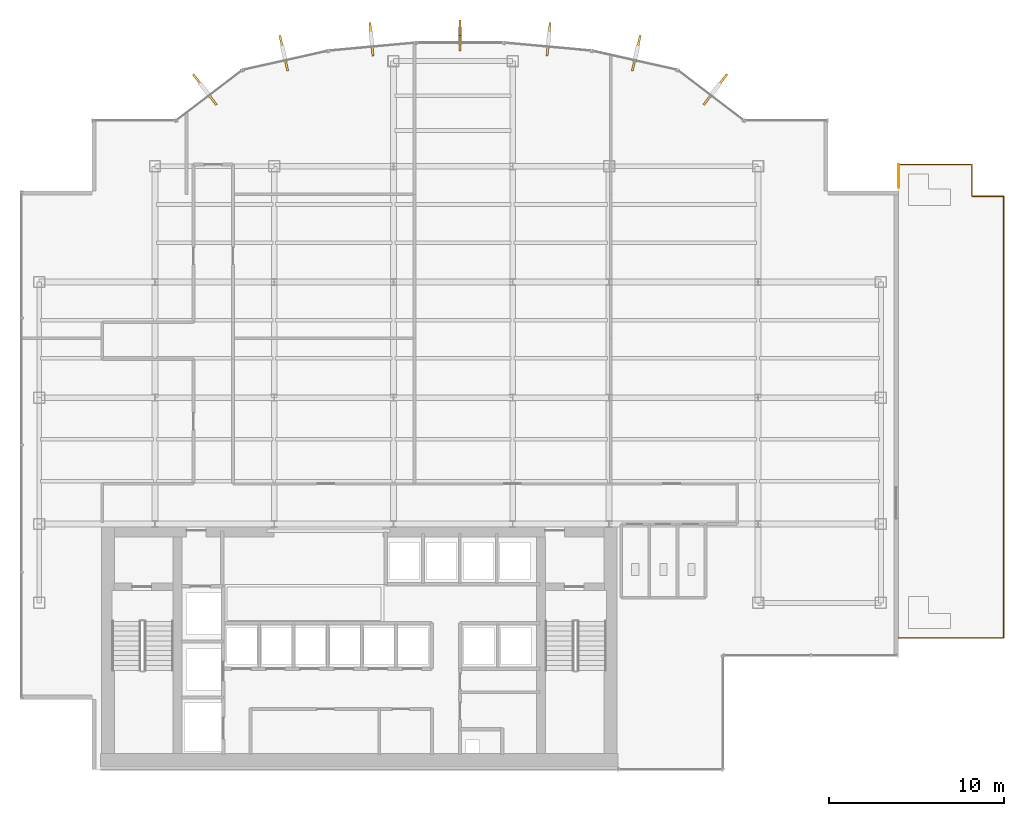
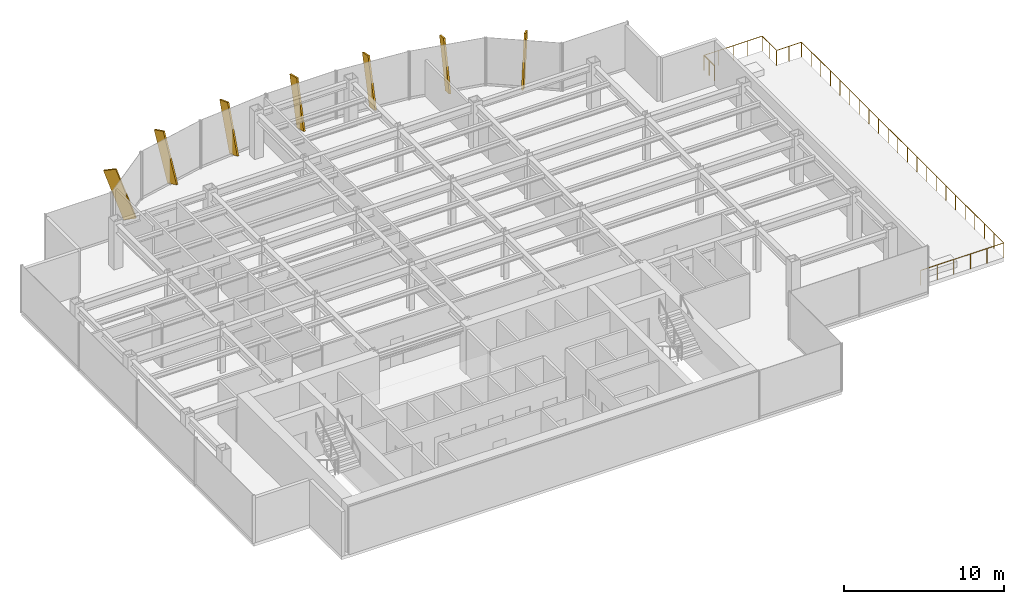
# One storey, part 22 of 23: 7 shading devices, 2 railings.
"""IFC4 building model written with IfcOpenShell, lengths in metres."""

from ifc_helpers import new_model, si_unit, derived_unit, direction, frame, origin, origin_2d, place, context, subcontext, project, spatial, rectangle, circle, extrude, source, transform, mapped, material, type_object, element, save


model = new_model("IFC4")

# Units and contexts
model_context = context("Model", 3, precision=1e-05, world=origin(), true_north=direction((0.0, 1.0)))
body_context = subcontext(model_context, "Body", "Model", "MODEL_VIEW")
ifc_project = project(units=[si_unit("LENGTHUNIT", "METRE"), si_unit("AREAUNIT", "SQUARE_METRE"), si_unit("VOLUMEUNIT", "CUBIC_METRE"), si_unit("PLANEANGLEUNIT", "RADIAN"), si_unit("MASSUNIT", "GRAM", prefix="KILO"), derived_unit("THERMALTRANSMITTANCEUNIT", [(si_unit("POWERUNIT", "WATT"), 1), (si_unit("LENGTHUNIT", "METRE"), -2), (si_unit("THERMODYNAMICTEMPERATUREUNIT", "KELVIN"), -1)])], contexts=[model_context])

# Site, building, storey
site_placement = place(None, origin())
site = spatial("IfcSite", under=ifc_project, at=site_placement, CompositionType="ELEMENT")
building_placement = place(site_placement, origin())
building = spatial("IfcBuilding", under=site, at=building_placement, Name="Skarnbrae Concourse Arena and Tower", CompositionType="ELEMENT")
storey_placement = place(building_placement, frame((0.0, 0.0, 140.60009765625)))
storey = spatial("IfcBuildingStorey", under=building, at=storey_placement, Name="L35", CompositionType="ELEMENT", Elevation=140.60009765625)

# Railings
ifc_material_1 = material(Name="Steel CSA G40.21 350W", Category="steel")
railing_type = type_object("IfcRailingType", Name="RAIL-GUARD-1150", PredefinedType="GUARDRAIL", material=ifc_material_1)
railing_1_placement = place(storey_placement, frame((50.02001953125, 7.5, 0.0)))
element("IfcRailing", 1, at=railing_1_placement, inside=storey, type_object=railing_type, Name="L35 Outdoor setback terrace perimeter guardrail", PredefinedType="GUARDRAIL", context=body_context, shape_type="SweptSolid", body=[
    extrude(circle(Radius=0.02392578125, at=origin_2d()), frame((0.0, 0.0, 1.1259765625), z_axis=(1.0, 0.0, 0.0), x_axis=(0.0, 1.0, 0.0)), (0.0, 0.0, 1.0), 5.97998046875),
    extrude(circle(Radius=0.02392578125, at=origin_2d()), frame((5.97998046875, 0.0, 1.1259765625), z_axis=(0.0, 1.0, 0.0), x_axis=(-1.0, 0.0, 0.0)), (0.0, 0.0, 1.0), 25.199951171875),
    extrude(circle(Radius=0.02392578125, at=origin_2d()), frame((5.97998046875, 25.199951171875, 1.1259765625), z_axis=(-1.0, 0.0, 0.0), x_axis=(0.0, -1.0, 0.0)), (0.0, 0.0, 1.0), 1.800048828125),
    extrude(circle(Radius=0.02392578125, at=origin_2d()), frame((4.179931640625, 25.199951171875, 1.1259765625), z_axis=(0.0, 1.0, 0.0), x_axis=(-1.0, 0.0, 0.0)), (0.0, 0.0, 1.0), 1.800048828125),
    extrude(circle(Radius=0.02392578125, at=origin_2d()), frame((4.179931640625, 27.0, 1.1259765625), z_axis=(-1.0, 0.0, 0.0), x_axis=(0.0, -1.0, 0.0)), (0.0, 0.0, 1.0), 4.179931640625),
    extrude(circle(Radius=0.02099609375, at=origin_2d()), origin(), (0.0, 0.0, 1.0), 1.101806640625),
    extrude(circle(Radius=0.02099609375, at=origin_2d()), frame((1.196044921875, 0.0, 0.0)), (0.0, 0.0, 1.0), 1.101806640625),
    extrude(circle(Radius=0.02099609375, at=origin_2d()), frame((2.39208984375, 0.0, 0.0)), (0.0, 0.0, 1.0), 1.101806640625),
    extrude(circle(Radius=0.02099609375, at=origin_2d()), frame((3.587890625, 0.0, 0.0)), (0.0, 0.0, 1.0), 1.101806640625),
    extrude(circle(Radius=0.02099609375, at=origin_2d()), frame((4.783935546875, 0.0, 0.0)), (0.0, 0.0, 1.0), 1.101806640625),
    extrude(circle(Radius=0.02099609375, at=origin_2d()), frame((5.97998046875, 0.0, 0.0)), (0.0, 0.0, 1.0), 1.101806640625),
    extrude(circle(Radius=0.02099609375, at=origin_2d()), frame((5.97998046875, 1.199951171875, 0.0)), (0.0, 0.0, 1.0), 1.101806640625),
    extrude(circle(Radius=0.02099609375, at=origin_2d()), frame((5.97998046875, 2.39990234375, 0.0)), (0.0, 0.0, 1.0), 1.101806640625),
    extrude(circle(Radius=0.02099609375, at=origin_2d()), frame((5.97998046875, 3.60009765625, 0.0)), (0.0, 0.0, 1.0), 1.101806640625),
    extrude(circle(Radius=0.02099609375, at=origin_2d()), frame((5.97998046875, 4.800048828125, 0.0)), (0.0, 0.0, 1.0), 1.101806640625),
    extrude(circle(Radius=0.02099609375, at=origin_2d()), frame((5.97998046875, 6.0, 0.0)), (0.0, 0.0, 1.0), 1.101806640625),
    extrude(circle(Radius=0.02099609375, at=origin_2d()), frame((5.97998046875, 7.199951171875, 0.0)), (0.0, 0.0, 1.0), 1.101806640625),
    extrude(circle(Radius=0.02099609375, at=origin_2d()), frame((5.97998046875, 8.39990234375, 0.0)), (0.0, 0.0, 1.0), 1.101806640625),
    extrude(circle(Radius=0.02099609375, at=origin_2d()), frame((5.97998046875, 9.60009765625, 0.0)), (0.0, 0.0, 1.0), 1.101806640625),
    extrude(circle(Radius=0.02099609375, at=origin_2d()), frame((5.97998046875, 10.800048828125, 0.0)), (0.0, 0.0, 1.0), 1.101806640625),
    extrude(circle(Radius=0.02099609375, at=origin_2d()), frame((5.97998046875, 12.0, 0.0)), (0.0, 0.0, 1.0), 1.101806640625),
    extrude(circle(Radius=0.02099609375, at=origin_2d()), frame((5.97998046875, 13.199951171875, 0.0)), (0.0, 0.0, 1.0), 1.101806640625),
    extrude(circle(Radius=0.02099609375, at=origin_2d()), frame((5.97998046875, 14.39990234375, 0.0)), (0.0, 0.0, 1.0), 1.101806640625),
    extrude(circle(Radius=0.02099609375, at=origin_2d()), frame((5.97998046875, 15.599853515625, 0.0)), (0.0, 0.0, 1.0), 1.101806640625),
    extrude(circle(Radius=0.02099609375, at=origin_2d()), frame((5.97998046875, 16.800048828125, 0.0)), (0.0, 0.0, 1.0), 1.101806640625),
    extrude(circle(Radius=0.02099609375, at=origin_2d()), frame((5.97998046875, 18.0, 0.0)), (0.0, 0.0, 1.0), 1.101806640625),
    extrude(circle(Radius=0.02099609375, at=origin_2d()), frame((5.97998046875, 19.199951171875, 0.0)), (0.0, 0.0, 1.0), 1.101806640625),
    extrude(circle(Radius=0.02099609375, at=origin_2d()), frame((5.97998046875, 20.39990234375, 0.0)), (0.0, 0.0, 1.0), 1.101806640625),
    extrude(circle(Radius=0.02099609375, at=origin_2d()), frame((5.97998046875, 21.599853515625, 0.0)), (0.0, 0.0, 1.0), 1.101806640625),
    extrude(circle(Radius=0.02099609375, at=origin_2d()), frame((5.97998046875, 22.800048828125, 0.0)), (0.0, 0.0, 1.0), 1.101806640625),
    extrude(circle(Radius=0.02099609375, at=origin_2d()), frame((5.97998046875, 24.0, 0.0)), (0.0, 0.0, 1.0), 1.101806640625),
    extrude(circle(Radius=0.02099609375, at=origin_2d()), frame((5.97998046875, 25.199951171875, 0.0)), (0.0, 0.0, 1.0), 1.101806640625),
    extrude(circle(Radius=0.02099609375, at=origin_2d()), frame((5.080078125, 25.199951171875, 0.0)), (0.0, 0.0, 1.0), 1.101806640625),
    extrude(circle(Radius=0.02099609375, at=origin_2d()), frame((4.179931640625, 25.199951171875, 0.0)), (0.0, 0.0, 1.0), 1.101806640625),
    extrude(circle(Radius=0.02099609375, at=origin_2d()), frame((4.179931640625, 26.10009765625, 0.0)), (0.0, 0.0, 1.0), 1.101806640625),
    extrude(circle(Radius=0.02099609375, at=origin_2d()), frame((4.179931640625, 27.0, 0.0)), (0.0, 0.0, 1.0), 1.101806640625),
    extrude(circle(Radius=0.02099609375, at=origin_2d()), frame((3.135009765625, 27.0, 0.0)), (0.0, 0.0, 1.0), 1.101806640625),
    extrude(circle(Radius=0.02099609375, at=origin_2d()), frame((2.08984375, 27.0, 0.0)), (0.0, 0.0, 1.0), 1.101806640625),
    extrude(circle(Radius=0.02099609375, at=origin_2d()), frame((1.044921875, 27.0, 0.0)), (0.0, 0.0, 1.0), 1.101806640625),
    extrude(circle(Radius=0.02099609375, at=origin_2d()), frame((0.0, 27.0, 0.0)), (0.0, 0.0, 1.0), 1.101806640625),
])
railing_2_placement = place(storey_placement, frame((50.02001953125, 33.198974609375, 0.0)))
element("IfcRailing", 2, at=railing_2_placement, inside=storey, type_object=railing_type, Name="L35 Outdoor setback terrace corner-notch guardrail 1", PredefinedType="GUARDRAIL", context=body_context, shape_type="SweptSolid", body=[
    extrude(circle(Radius=0.02392578125, at=origin_2d()), frame((0.0, 0.0, 1.1259765625), z_axis=(0.0, 1.0, 0.0), x_axis=(-1.0, 0.0, 0.0)), (0.0, 0.0, 1.0), 1.301025390625),
    extrude(circle(Radius=0.02099609375, at=origin_2d()), origin(), (0.0, 0.0, 1.0), 1.101806640625),
    extrude(circle(Radius=0.02099609375, at=origin_2d()), frame((0.0, 0.650390625, 0.0)), (0.0, 0.0, 1.0), 1.101806640625),
    extrude(circle(Radius=0.02099609375, at=origin_2d()), frame((0.0, 1.301025390625, 0.0)), (0.0, 0.0, 1.0), 1.101806640625),
])

# Shading devices
ifc_material_2 = material(Name="Bronze anodised aluminium 6063-T6", Category="aluminium")
shading_device_type = type_object("IfcShadingDeviceType", Name="SHD-BRONZE-FIN-900", PredefinedType="USERDEFINED", material=ifc_material_2)
shared_shape = source(origin(), body_context, "Body", "SweptSolid", [
    extrude(rectangle(XDim=0.1201171875, YDim=0.89990234375, at=origin_2d()), origin(), (0.0, 0.0, 1.0), 3.64990234375),
])
for number, where, z_axis, x_axis, name in (
    (3, (39.14453125, 38.236572265625, 0.133056640625), (0.227360181444, 0.297924001033, 0.927118459261), (0.794954941871, -0.606668476513, 0.0), "L35 Outward-leaning bronze shading fin 08"),
    (4, (34.919189453125, 40.252685546875, 0.10546875), (0.07307621312, 0.327058247596, 0.942174490079), (0.975935794812, -0.218058075762, 0.0), "L35 Outward-leaning bronze shading fin 09"),
    (5, (30.002197265625, 41.10888671875, 0.077880859375), (0.026416928289, 0.287989819197, 0.957269037387), (0.99581928833, -0.091345196863, 0.0), "L35 Outward-leaning bronze shading fin 10"),
    (6, (25.0, 41.424072265625, 0.05419921875), (0.0, 0.2419218956, 0.970295726276), (1.0, 0.0, 0.0), "L35 Outward-leaning bronze shading fin 11"),
    (7, (19.997802734375, 41.10888671875, 0.077880859375), (-0.026416928289, 0.287989819197, 0.957269037387), (0.99581928833, 0.091345196863, 0.0), "L35 Outward-leaning bronze shading fin 12"),
    (8, (15.080810546875, 40.252685546875, 0.10546875), (-0.07307621312, 0.327058247596, 0.942174490079), (0.975935794812, 0.218058075762, 0.0), "L35 Outward-leaning bronze shading fin 13"),
    (9, (10.85546875, 38.236572265625, 0.133056640625), (-0.227360181444, 0.297924001033, 0.927118459261), (0.794954941871, 0.606668476513, 0.0), "L35 Outward-leaning bronze shading fin 14"),
):
    element("IfcShadingDevice", number, at=place(storey_placement, frame(where, z_axis=z_axis, x_axis=x_axis)), inside=storey, type_object=shading_device_type, Name=name, ObjectType="FIN", PredefinedType="USERDEFINED", context=body_context, shape_type="MappedRepresentation", body=[
        mapped(shared_shape, transform((0.0, 0.0, 0.0))),
    ])

save(model, "model.ifc")
